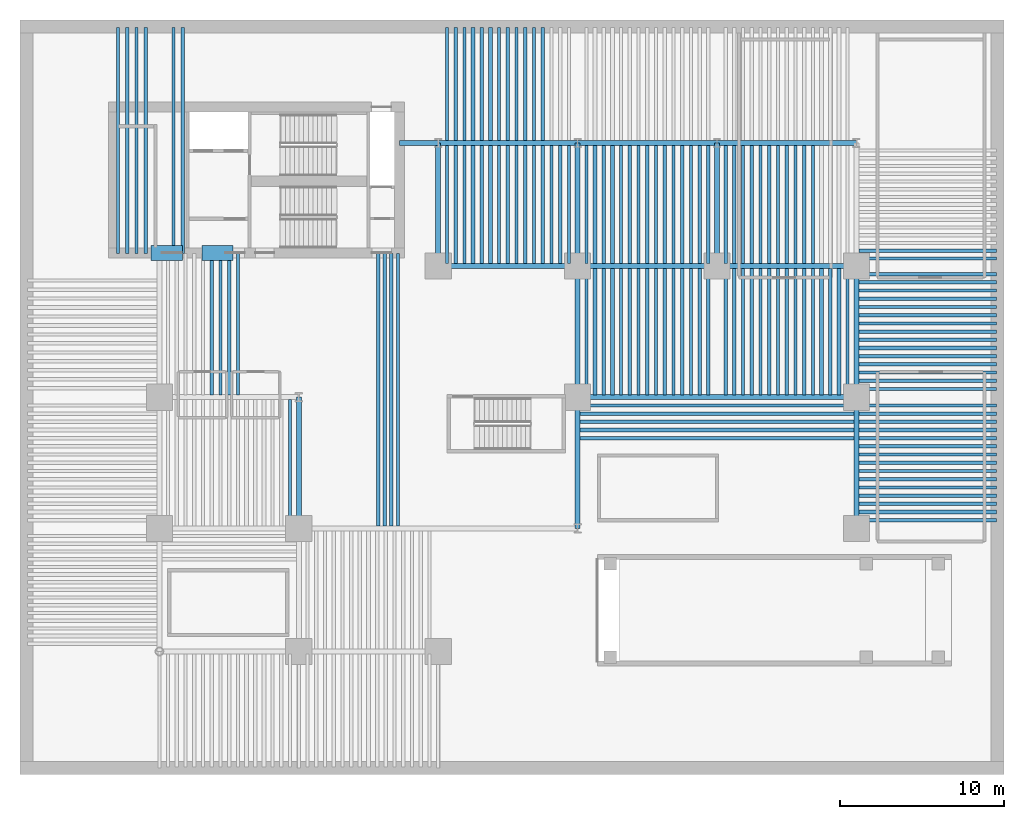
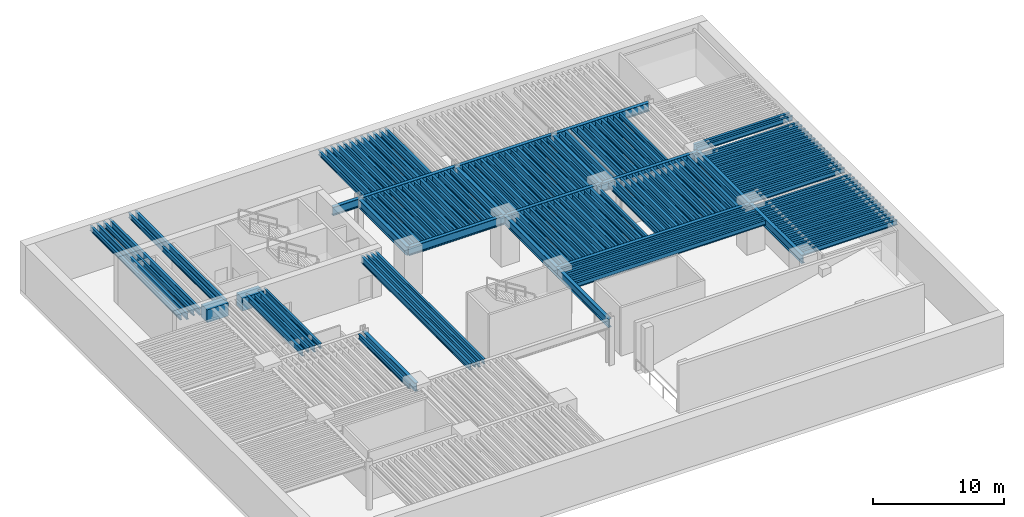
# One storey, part 2 of 9: 153 beams.
"""IFC4 building model written with IfcOpenShell, lengths in metres."""

from ifc_helpers import new_model, si_unit, direction, frame, origin, origin_2d, place, context, subcontext, project, spatial, rectangle, i_section, extrude, material, material_profile, profile_set, type_object, element, save


model = new_model("IFC4")

# Units and contexts
model_context = context("Model", 3, precision=1e-05, world=origin(), true_north=direction((0.0, 1.0)))
body_context = subcontext(model_context, "Body", "Model", "MODEL_VIEW")
ifc_project = project(units=[si_unit("LENGTHUNIT", "METRE"), si_unit("AREAUNIT", "SQUARE_METRE"), si_unit("VOLUMEUNIT", "CUBIC_METRE"), si_unit("PLANEANGLEUNIT", "RADIAN"), si_unit("MASSUNIT", "GRAM", prefix="KILO")], contexts=[model_context])

# Site, building, storey
site_placement = place(None, origin())
site = spatial("IfcSite", under=ifc_project, at=site_placement, CompositionType="ELEMENT")
building_placement = place(site_placement, origin())
building = spatial("IfcBuilding", under=site, at=building_placement, Name="Caeloran Harvest Quay", CompositionType="ELEMENT")
storey_placement = place(building_placement, frame((0.0, 0.0, -9.0)))
storey = spatial("IfcBuildingStorey", under=building, at=storey_placement, Name="B02", CompositionType="ELEMENT", Elevation=-9.0)

# Beams
ifc_material_1 = material(Name="Concrete C80/95", Category="concrete")
ifc_material_profile_1 = material_profile(ifc_material_1, rectangle(XDim=0.89990234375, YDim=1.199951171875, at=origin_2d()), Name="RC 900x1200")
ifc_profile_set_1 = profile_set([ifc_material_profile_1], Name="Concrete C80/95")
beam_type_1 = type_object("IfcBeamType", Name="BM-CB-1-RC_900x1200", PredefinedType="LINTEL", material=ifc_profile_set_1)
for number, where, z_axis, x_axis, name in (
    (1, (8.0, 31.800048828125, 3.550048828125), (1.0, 0.0, 0.0), (0.0, 1.0, 0.0), "B02 Core Coupling Beam 1"),
    (2, (11.10009765625, 31.800048828125, 3.550048828125), (1.0, 0.0, 0.0), (0.0, 1.0, 0.0), "B02 Core Coupling Beam 2"),
):
    element("IfcBeam", number, at=place(storey_placement, frame(where, z_axis=z_axis, x_axis=x_axis)), inside=storey, type_object=beam_type_1, Name=name, PredefinedType="LINTEL", context=body_context, shape_type="SweptSolid", body=[
        extrude(rectangle(XDim=0.89990234375, YDim=1.199951171875, at=origin_2d()), origin(), (0.0, 0.0, 1.0), 1.89990234375),
    ])
ifc_material_2 = material(Name="Steel S355J2", Category="steel")
ifc_material_profile_2 = material_profile(ifc_material_2, i_section(OverallWidth=0.300048828125, OverallDepth=0.800048828125, WebThickness=0.017578125, FlangeThickness=0.032958984375, FilletRadius=0.030029296875, at=origin_2d()), Name="HE 800 B")
ifc_profile_set_2 = profile_set([ifc_material_profile_2], Name="Steel S355J2")
beam_type_2 = type_object("IfcBeamType", Name="BM-PG-1-HE_800_B", PredefinedType="BEAM", material=ifc_profile_set_2)
beam_1_placement = place(storey_placement, frame((34.0, 23.0, 3.75), z_axis=(1.0, 0.0, 0.0), x_axis=(0.0, 1.0, 0.0)))
element("IfcBeam", 3, at=beam_1_placement, inside=storey, type_object=beam_type_2, Name="B02 Primary East-West Girder Y=23.0", PredefinedType="BEAM", context=body_context, shape_type="SweptSolid", body=[
    extrude(i_section(OverallWidth=0.300048828125, OverallDepth=0.800048828125, WebThickness=0.017578125, FlangeThickness=0.032958984375, FilletRadius=0.030029296875, at=origin_2d()), origin(), (0.0, 0.0, 1.0), 17.0),
])
for number, where, z_axis, x_axis, name in (
    (4, (25.5, 31.0, 3.75), (1.0, 0.0, 0.0), (0.0, 1.0, 0.0), "B02 Primary East-West Girder Y=31.0"),
    (5, (34.0, 31.0, 3.75), (1.0, 0.0, 0.0), (0.0, 1.0, 0.0), "B02 Primary East-West Girder Y=31.0"),
    (6, (42.5, 31.0, 3.75), (1.0, 0.0, 0.0), (0.0, 1.0, 0.0), "B02 Primary East-West Girder Y=31.0"),
    (7, (25.5, 38.5, 3.75), (1.0, 0.0, 0.0), (0.0, 1.0, 0.0), "B02 Primary East-West Girder Y=38.5"),
    (8, (34.0, 38.5, 3.75), (1.0, 0.0, 0.0), (0.0, 1.0, 0.0), "B02 Primary East-West Girder Y=38.5"),
    (9, (42.5, 38.5, 3.75), (1.0, 0.0, 0.0), (0.0, 1.0, 0.0), "B02 Primary East-West Girder Y=38.5"),
):
    element("IfcBeam", number, at=place(storey_placement, frame(where, z_axis=z_axis, x_axis=x_axis)), inside=storey, type_object=beam_type_2, Name=name, PredefinedType="BEAM", context=body_context, shape_type="SweptSolid", body=[
        extrude(i_section(OverallWidth=0.300048828125, OverallDepth=0.800048828125, WebThickness=0.017578125, FlangeThickness=0.032958984375, FilletRadius=0.030029296875, at=origin_2d()), origin(), (0.0, 0.0, 1.0), 8.5),
    ])
beam_2_placement = place(storey_placement, frame((23.14990234375, 38.5, 3.75), z_axis=(1.0, 0.0, 0.0), x_axis=(0.0, 1.0, 0.0)))
element("IfcBeam", 10, at=beam_2_placement, inside=storey, type_object=beam_type_2, Name="B02 Core East Tie Girder Y=38.5", PredefinedType="BEAM", context=body_context, shape_type="SweptSolid", body=[
    extrude(i_section(OverallWidth=0.300048828125, OverallDepth=0.800048828125, WebThickness=0.017578125, FlangeThickness=0.032958984375, FilletRadius=0.030029296875, at=origin_2d()), origin(), (0.0, 0.0, 1.0), 2.35009765625),
])
beam_3_placement = place(storey_placement, frame((17.0, 15.0, 3.75), z_axis=(0.0, 1.0, 0.0), x_axis=(-1.0, 0.0, 0.0)))
element("IfcBeam", 11, at=beam_3_placement, inside=storey, type_object=beam_type_2, Name="B02 Primary North-South Girder X=17.0", PredefinedType="BEAM", context=body_context, shape_type="SweptSolid", body=[
    extrude(i_section(OverallWidth=0.300048828125, OverallDepth=0.800048828125, WebThickness=0.017578125, FlangeThickness=0.032958984375, FilletRadius=0.030029296875, at=origin_2d()), origin(), (0.0, 0.0, 1.0), 8.0),
])
beam_4_placement = place(storey_placement, frame((25.5, 31.0, 3.75), z_axis=(0.0, 1.0, 0.0), x_axis=(-1.0, 0.0, 0.0)))
element("IfcBeam", 12, at=beam_4_placement, inside=storey, type_object=beam_type_2, Name="B02 Primary North-South Girder X=25.5", PredefinedType="BEAM", context=body_context, shape_type="SweptSolid", body=[
    extrude(i_section(OverallWidth=0.300048828125, OverallDepth=0.800048828125, WebThickness=0.017578125, FlangeThickness=0.032958984375, FilletRadius=0.030029296875, at=origin_2d()), origin(), (0.0, 0.0, 1.0), 7.5),
])
for number, where, z_axis, x_axis, name in (
    (13, (34.0, 15.0, 3.75), (0.0, 1.0, 0.0), (-1.0, 0.0, 0.0), "B02 Primary North-South Girder X=34.0"),
    (14, (34.0, 23.0, 3.75), (0.0, 1.0, 0.0), (-1.0, 0.0, 0.0), "B02 Primary North-South Girder X=34.0"),
):
    element("IfcBeam", number, at=place(storey_placement, frame(where, z_axis=z_axis, x_axis=x_axis)), inside=storey, type_object=beam_type_2, Name=name, PredefinedType="BEAM", context=body_context, shape_type="SweptSolid", body=[
        extrude(i_section(OverallWidth=0.300048828125, OverallDepth=0.800048828125, WebThickness=0.017578125, FlangeThickness=0.032958984375, FilletRadius=0.030029296875, at=origin_2d()), origin(), (0.0, 0.0, 1.0), 8.0),
    ])
for number, where, z_axis, x_axis, name in (
    (15, (34.0, 31.0, 3.75), (0.0, 1.0, 0.0), (-1.0, 0.0, 0.0), "B02 Primary North-South Girder X=34.0"),
    (16, (42.5, 31.0, 3.75), (0.0, 1.0, 0.0), (-1.0, 0.0, 0.0), "B02 Primary North-South Girder X=42.5"),
):
    element("IfcBeam", number, at=place(storey_placement, frame(where, z_axis=z_axis, x_axis=x_axis)), inside=storey, type_object=beam_type_2, Name=name, PredefinedType="BEAM", context=body_context, shape_type="SweptSolid", body=[
        extrude(i_section(OverallWidth=0.300048828125, OverallDepth=0.800048828125, WebThickness=0.017578125, FlangeThickness=0.032958984375, FilletRadius=0.030029296875, at=origin_2d()), origin(), (0.0, 0.0, 1.0), 7.5),
    ])
for number, where, z_axis, x_axis, name in (
    (17, (51.0, 15.0, 3.75), (0.0, 1.0, 0.0), (-1.0, 0.0, 0.0), "B02 Primary North-South Girder X=51.0"),
    (18, (51.0, 23.0, 3.75), (0.0, 1.0, 0.0), (-1.0, 0.0, 0.0), "B02 Primary North-South Girder X=51.0"),
):
    element("IfcBeam", number, at=place(storey_placement, frame(where, z_axis=z_axis, x_axis=x_axis)), inside=storey, type_object=beam_type_2, Name=name, PredefinedType="BEAM", context=body_context, shape_type="SweptSolid", body=[
        extrude(i_section(OverallWidth=0.300048828125, OverallDepth=0.800048828125, WebThickness=0.017578125, FlangeThickness=0.032958984375, FilletRadius=0.030029296875, at=origin_2d()), origin(), (0.0, 0.0, 1.0), 8.0),
    ])
ifc_material_profile_3 = material_profile(ifc_material_2, i_section(OverallWidth=0.219970703125, OverallDepth=0.60009765625, WebThickness=0.011962890625, FlangeThickness=0.01904296875, FilletRadius=0.02392578125, at=origin_2d()), Name="IPE 600")
ifc_profile_set_3 = profile_set([ifc_material_profile_3], Name="Steel S355J2")
beam_type_3 = type_object("IfcBeamType", Name="BM-SB-1-IPE_600", PredefinedType="JOIST", material=ifc_profile_set_3)
for number, where, z_axis, x_axis, name in (
    (19, (26.5625, 38.64501953125, 3.85009765625), (0.0, 1.0, 0.0), (-1.0, 0.0, 0.0), "B02 Secondary Composite Joist"),
    (20, (27.625, 38.64501953125, 3.85009765625), (0.0, 1.0, 0.0), (-1.0, 0.0, 0.0), "B02 Secondary Composite Joist"),
    (21, (28.6875, 38.64501953125, 3.85009765625), (0.0, 1.0, 0.0), (-1.0, 0.0, 0.0), "B02 Secondary Composite Joist"),
    (22, (29.75, 38.64501953125, 3.85009765625), (0.0, 1.0, 0.0), (-1.0, 0.0, 0.0), "B02 Secondary Composite Joist"),
    (23, (30.8125, 38.64501953125, 3.85009765625), (0.0, 1.0, 0.0), (-1.0, 0.0, 0.0), "B02 Secondary Composite Joist"),
    (24, (31.875, 38.64501953125, 3.85009765625), (0.0, 1.0, 0.0), (-1.0, 0.0, 0.0), "B02 Secondary Composite Joist"),
):
    element("IfcBeam", number, at=place(storey_placement, frame(where, z_axis=z_axis, x_axis=x_axis)), inside=storey, type_object=beam_type_3, Name=name, PredefinedType="JOIST", context=body_context, shape_type="SweptSolid", body=[
        extrude(i_section(OverallWidth=0.219970703125, OverallDepth=0.60009765625, WebThickness=0.011962890625, FlangeThickness=0.01904296875, FilletRadius=0.02392578125, at=origin_2d()), origin(), (0.0, 0.0, 1.0), 6.905029296875),
    ])
for number, where, z_axis, x_axis, name in (
    (25, (26.5625, 31.14501953125, 3.85009765625), (0.0, 1.0, 0.0), (-1.0, 0.0, 0.0), "B02 Secondary Composite Joist"),
    (26, (27.625, 31.14501953125, 3.85009765625), (0.0, 1.0, 0.0), (-1.0, 0.0, 0.0), "B02 Secondary Composite Joist"),
    (27, (28.6875, 31.14501953125, 3.85009765625), (0.0, 1.0, 0.0), (-1.0, 0.0, 0.0), "B02 Secondary Composite Joist"),
    (28, (29.75, 31.14501953125, 3.85009765625), (0.0, 1.0, 0.0), (-1.0, 0.0, 0.0), "B02 Secondary Composite Joist"),
    (29, (30.8125, 31.14501953125, 3.85009765625), (0.0, 1.0, 0.0), (-1.0, 0.0, 0.0), "B02 Secondary Composite Joist"),
    (30, (31.875, 31.14501953125, 3.85009765625), (0.0, 1.0, 0.0), (-1.0, 0.0, 0.0), "B02 Secondary Composite Joist"),
    (31, (32.9375, 31.14501953125, 3.85009765625), (0.0, 1.0, 0.0), (-1.0, 0.0, 0.0), "B02 Secondary Composite Joist"),
    (32, (35.0625, 31.14501953125, 3.85009765625), (0.0, 1.0, 0.0), (-1.0, 0.0, 0.0), "B02 Secondary Composite Joist"),
    (33, (36.125, 31.14501953125, 3.85009765625), (0.0, 1.0, 0.0), (-1.0, 0.0, 0.0), "B02 Secondary Composite Joist"),
    (34, (37.1875, 31.14501953125, 3.85009765625), (0.0, 1.0, 0.0), (-1.0, 0.0, 0.0), "B02 Secondary Composite Joist"),
    (35, (38.25, 31.14501953125, 3.85009765625), (0.0, 1.0, 0.0), (-1.0, 0.0, 0.0), "B02 Secondary Composite Joist"),
    (36, (39.3125, 31.14501953125, 3.85009765625), (0.0, 1.0, 0.0), (-1.0, 0.0, 0.0), "B02 Secondary Composite Joist"),
    (37, (40.375, 31.14501953125, 3.85009765625), (0.0, 1.0, 0.0), (-1.0, 0.0, 0.0), "B02 Secondary Composite Joist"),
    (38, (41.4375, 31.14501953125, 3.85009765625), (0.0, 1.0, 0.0), (-1.0, 0.0, 0.0), "B02 Secondary Composite Joist"),
    (39, (43.5625, 31.14501953125, 3.85009765625), (0.0, 1.0, 0.0), (-1.0, 0.0, 0.0), "B02 Secondary Composite Joist"),
    (40, (44.625, 31.14501953125, 3.85009765625), (0.0, 1.0, 0.0), (-1.0, 0.0, 0.0), "B02 Secondary Composite Joist"),
    (41, (45.6875, 31.14501953125, 3.85009765625), (0.0, 1.0, 0.0), (-1.0, 0.0, 0.0), "B02 Secondary Composite Joist"),
    (42, (46.75, 31.14501953125, 3.85009765625), (0.0, 1.0, 0.0), (-1.0, 0.0, 0.0), "B02 Secondary Composite Joist"),
    (43, (47.8125, 31.14501953125, 3.85009765625), (0.0, 1.0, 0.0), (-1.0, 0.0, 0.0), "B02 Secondary Composite Joist"),
):
    element("IfcBeam", number, at=place(storey_placement, frame(where, z_axis=z_axis, x_axis=x_axis)), inside=storey, type_object=beam_type_3, Name=name, PredefinedType="JOIST", context=body_context, shape_type="SweptSolid", body=[
        extrude(i_section(OverallWidth=0.219970703125, OverallDepth=0.60009765625, WebThickness=0.011962890625, FlangeThickness=0.01904296875, FilletRadius=0.02392578125, at=origin_2d()), origin(), (0.0, 0.0, 1.0), 7.2099609375),
    ])
for number, where, z_axis, x_axis, name in (
    (44, (35.0625, 23.14501953125, 3.85009765625), (0.0, 1.0, 0.0), (-1.0, 0.0, 0.0), "B02 Secondary Composite Joist"),
    (45, (36.125, 23.14501953125, 3.85009765625), (0.0, 1.0, 0.0), (-1.0, 0.0, 0.0), "B02 Secondary Composite Joist"),
    (46, (37.1875, 23.14501953125, 3.85009765625), (0.0, 1.0, 0.0), (-1.0, 0.0, 0.0), "B02 Secondary Composite Joist"),
    (47, (38.25, 23.14501953125, 3.85009765625), (0.0, 1.0, 0.0), (-1.0, 0.0, 0.0), "B02 Secondary Composite Joist"),
    (48, (39.3125, 23.14501953125, 3.85009765625), (0.0, 1.0, 0.0), (-1.0, 0.0, 0.0), "B02 Secondary Composite Joist"),
    (49, (40.375, 23.14501953125, 3.85009765625), (0.0, 1.0, 0.0), (-1.0, 0.0, 0.0), "B02 Secondary Composite Joist"),
    (50, (41.4375, 23.14501953125, 3.85009765625), (0.0, 1.0, 0.0), (-1.0, 0.0, 0.0), "B02 Secondary Composite Joist"),
    (51, (43.5625, 23.14501953125, 3.85009765625), (0.0, 1.0, 0.0), (-1.0, 0.0, 0.0), "B02 Secondary Composite Joist"),
    (52, (44.625, 23.14501953125, 3.85009765625), (0.0, 1.0, 0.0), (-1.0, 0.0, 0.0), "B02 Secondary Composite Joist"),
    (53, (45.6875, 23.14501953125, 3.85009765625), (0.0, 1.0, 0.0), (-1.0, 0.0, 0.0), "B02 Secondary Composite Joist"),
    (54, (46.75, 23.14501953125, 3.85009765625), (0.0, 1.0, 0.0), (-1.0, 0.0, 0.0), "B02 Secondary Composite Joist"),
    (55, (47.8125, 23.14501953125, 3.85009765625), (0.0, 1.0, 0.0), (-1.0, 0.0, 0.0), "B02 Secondary Composite Joist"),
    (56, (48.875, 23.14501953125, 3.85009765625), (0.0, 1.0, 0.0), (-1.0, 0.0, 0.0), "B02 Secondary Composite Joist"),
    (57, (49.9375, 23.14501953125, 3.85009765625), (0.0, 1.0, 0.0), (-1.0, 0.0, 0.0), "B02 Secondary Composite Joist"),
):
    element("IfcBeam", number, at=place(storey_placement, frame(where, z_axis=z_axis, x_axis=x_axis)), inside=storey, type_object=beam_type_3, Name=name, PredefinedType="JOIST", context=body_context, shape_type="SweptSolid", body=[
        extrude(i_section(OverallWidth=0.219970703125, OverallDepth=0.60009765625, WebThickness=0.011962890625, FlangeThickness=0.01904296875, FilletRadius=0.02392578125, at=origin_2d()), origin(), (0.0, 0.0, 1.0), 7.7099609375),
    ])
for number, where, z_axis, x_axis, name in (
    (58, (11.6875, 23.14501953125, 3.85009765625), (0.0, 1.0, 0.0), (-1.0, 0.0, 0.0), "B02 Secondary Composite Joist"),
    (59, (12.75, 23.14501953125, 3.85009765625), (0.0, 1.0, 0.0), (-1.0, 0.0, 0.0), "B02 Secondary Composite Joist"),
):
    element("IfcBeam", number, at=place(storey_placement, frame(where, z_axis=z_axis, x_axis=x_axis)), inside=storey, type_object=beam_type_3, Name=name, PredefinedType="JOIST", context=body_context, shape_type="SweptSolid", body=[
        extrude(i_section(OverallWidth=0.219970703125, OverallDepth=0.60009765625, WebThickness=0.011962890625, FlangeThickness=0.01904296875, FilletRadius=0.02392578125, at=origin_2d()), origin(), (0.0, 0.0, 1.0), 8.60498046875),
    ])
for number, where, z_axis, x_axis, name in (
    (60, (6.528076171875, 31.75, 3.85009765625), (0.0, 1.0, 0.0), (-1.0, 0.0, 0.0), "B02 Secondary Composite Joist"),
    (61, (7.65625, 31.75, 3.85009765625), (0.0, 1.0, 0.0), (-1.0, 0.0, 0.0), "B02 Secondary Composite Joist"),
    (62, (9.91259765625, 31.75, 3.85009765625), (0.0, 1.0, 0.0), (-1.0, 0.0, 0.0), "B02 Secondary Composite Joist"),
):
    element("IfcBeam", number, at=place(storey_placement, frame(where, z_axis=z_axis, x_axis=x_axis)), inside=storey, type_object=beam_type_3, Name=name, PredefinedType="JOIST", context=body_context, shape_type="SweptSolid", body=[
        extrude(i_section(OverallWidth=0.219970703125, OverallDepth=0.60009765625, WebThickness=0.011962890625, FlangeThickness=0.01904296875, FilletRadius=0.02392578125, at=origin_2d()), origin(), (0.0, 0.0, 1.0), 13.800048828125),
    ])
for number, where, z_axis, x_axis, name in (
    (63, (21.83740234375, 15.14501953125, 3.85009765625), (0.0, 1.0, 0.0), (-1.0, 0.0, 0.0), "B02 Secondary Composite Joist"),
    (64, (22.643798828125, 15.14501953125, 3.85009765625), (0.0, 1.0, 0.0), (-1.0, 0.0, 0.0), "B02 Secondary Composite Joist"),
):
    element("IfcBeam", number, at=place(storey_placement, frame(where, z_axis=z_axis, x_axis=x_axis)), inside=storey, type_object=beam_type_3, Name=name, PredefinedType="JOIST", context=body_context, shape_type="SweptSolid", body=[
        extrude(i_section(OverallWidth=0.219970703125, OverallDepth=0.60009765625, WebThickness=0.011962890625, FlangeThickness=0.01904296875, FilletRadius=0.02392578125, at=origin_2d()), origin(), (0.0, 0.0, 1.0), 16.60498046875),
    ])
for number, where, z_axis, x_axis, name in (
    (65, (51.14501953125, 16.0, 3.85009765625), (1.0, 0.0, 0.0), (0.0, 1.0, 0.0), "B02 Secondary East-West Composite Joist"),
    (66, (51.14501953125, 17.0, 3.85009765625), (1.0, 0.0, 0.0), (0.0, 1.0, 0.0), "B02 Secondary East-West Composite Joist"),
    (67, (51.14501953125, 18.0, 3.85009765625), (1.0, 0.0, 0.0), (0.0, 1.0, 0.0), "B02 Secondary East-West Composite Joist"),
    (68, (51.14501953125, 19.0, 3.85009765625), (1.0, 0.0, 0.0), (0.0, 1.0, 0.0), "B02 Secondary East-West Composite Joist"),
    (69, (51.14501953125, 20.0, 3.85009765625), (1.0, 0.0, 0.0), (0.0, 1.0, 0.0), "B02 Secondary East-West Composite Joist"),
    (70, (51.14501953125, 21.0, 3.85009765625), (1.0, 0.0, 0.0), (0.0, 1.0, 0.0), "B02 Secondary East-West Composite Joist"),
    (71, (51.14501953125, 22.0, 3.85009765625), (1.0, 0.0, 0.0), (0.0, 1.0, 0.0), "B02 Secondary East-West Composite Joist"),
    (72, (51.14501953125, 24.0, 3.85009765625), (1.0, 0.0, 0.0), (0.0, 1.0, 0.0), "B02 Secondary East-West Composite Joist"),
    (73, (51.14501953125, 25.0, 3.85009765625), (1.0, 0.0, 0.0), (0.0, 1.0, 0.0), "B02 Secondary East-West Composite Joist"),
    (74, (51.14501953125, 26.0, 3.85009765625), (1.0, 0.0, 0.0), (0.0, 1.0, 0.0), "B02 Secondary East-West Composite Joist"),
    (75, (51.14501953125, 27.0, 3.85009765625), (1.0, 0.0, 0.0), (0.0, 1.0, 0.0), "B02 Secondary East-West Composite Joist"),
    (76, (51.14501953125, 28.0, 3.85009765625), (1.0, 0.0, 0.0), (0.0, 1.0, 0.0), "B02 Secondary East-West Composite Joist"),
    (77, (51.14501953125, 29.0, 3.85009765625), (1.0, 0.0, 0.0), (0.0, 1.0, 0.0), "B02 Secondary East-West Composite Joist"),
    (78, (51.14501953125, 30.0, 3.85009765625), (1.0, 0.0, 0.0), (0.0, 1.0, 0.0), "B02 Secondary East-West Composite Joist"),
    (79, (51.14501953125, 31.9375, 3.85009765625), (1.0, 0.0, 0.0), (0.0, 1.0, 0.0), "B02 Secondary East-West Composite Joist"),
):
    element("IfcBeam", number, at=place(storey_placement, frame(where, z_axis=z_axis, x_axis=x_axis)), inside=storey, type_object=beam_type_3, Name=name, PredefinedType="JOIST", context=body_context, shape_type="SweptSolid", body=[
        extrude(i_section(OverallWidth=0.219970703125, OverallDepth=0.60009765625, WebThickness=0.011962890625, FlangeThickness=0.01904296875, FilletRadius=0.02392578125, at=origin_2d()), origin(), (0.0, 0.0, 1.0), 8.405029296875),
    ])
for number, where, z_axis, x_axis, name in (
    (80, (34.14501953125, 21.0, 3.85009765625), (1.0, 0.0, 0.0), (0.0, 1.0, 0.0), "B02 Secondary East-West Composite Joist"),
    (81, (34.14501953125, 22.0, 3.85009765625), (1.0, 0.0, 0.0), (0.0, 1.0, 0.0), "B02 Secondary East-West Composite Joist"),
):
    element("IfcBeam", number, at=place(storey_placement, frame(where, z_axis=z_axis, x_axis=x_axis)), inside=storey, type_object=beam_type_3, Name=name, PredefinedType="JOIST", context=body_context, shape_type="SweptSolid", body=[
        extrude(i_section(OverallWidth=0.219970703125, OverallDepth=0.60009765625, WebThickness=0.011962890625, FlangeThickness=0.01904296875, FilletRadius=0.02392578125, at=origin_2d()), origin(), (0.0, 0.0, 1.0), 16.7099609375),
    ])
ifc_material_profile_4 = material_profile(ifc_material_2, i_section(OverallWidth=0.18994140625, OverallDepth=0.449951171875, WebThickness=0.009521484375, FlangeThickness=0.0146484375, FilletRadius=0.02099609375, at=origin_2d()), Name="IPE 450")
ifc_profile_set_4 = profile_set([ifc_material_profile_4], Name="Steel S355J2")
beam_type_4 = type_object("IfcBeamType", Name="BM-SB-3-IPE_450", PredefinedType="JOIST", material=ifc_profile_set_4)
for number, where, z_axis, x_axis, name in (
    (82, (26.03125, 38.64501953125, 3.925048828125), (0.0, 1.0, 0.0), (-1.0, 0.0, 0.0), "B02 Secondary Composite Joist"),
    (83, (27.09375, 38.64501953125, 3.925048828125), (0.0, 1.0, 0.0), (-1.0, 0.0, 0.0), "B02 Secondary Composite Joist"),
    (84, (28.15625, 38.64501953125, 3.925048828125), (0.0, 1.0, 0.0), (-1.0, 0.0, 0.0), "B02 Secondary Composite Joist"),
    (85, (29.21875, 38.64501953125, 3.925048828125), (0.0, 1.0, 0.0), (-1.0, 0.0, 0.0), "B02 Secondary Composite Joist"),
    (86, (30.28125, 38.64501953125, 3.925048828125), (0.0, 1.0, 0.0), (-1.0, 0.0, 0.0), "B02 Secondary Composite Joist"),
    (87, (31.34375, 38.64501953125, 3.925048828125), (0.0, 1.0, 0.0), (-1.0, 0.0, 0.0), "B02 Secondary Composite Joist"),
):
    element("IfcBeam", number, at=place(storey_placement, frame(where, z_axis=z_axis, x_axis=x_axis)), inside=storey, type_object=beam_type_4, Name=name, PredefinedType="JOIST", context=body_context, shape_type="SweptSolid", body=[
        extrude(i_section(OverallWidth=0.18994140625, OverallDepth=0.449951171875, WebThickness=0.009521484375, FlangeThickness=0.0146484375, FilletRadius=0.02099609375, at=origin_2d()), origin(), (0.0, 0.0, 1.0), 6.905029296875),
    ])
for number, where, z_axis, x_axis, name in (
    (88, (26.03125, 31.14501953125, 3.925048828125), (0.0, 1.0, 0.0), (-1.0, 0.0, 0.0), "B02 Secondary Composite Joist"),
    (89, (27.09375, 31.14501953125, 3.925048828125), (0.0, 1.0, 0.0), (-1.0, 0.0, 0.0), "B02 Secondary Composite Joist"),
    (90, (28.15625, 31.14501953125, 3.925048828125), (0.0, 1.0, 0.0), (-1.0, 0.0, 0.0), "B02 Secondary Composite Joist"),
    (91, (29.21875, 31.14501953125, 3.925048828125), (0.0, 1.0, 0.0), (-1.0, 0.0, 0.0), "B02 Secondary Composite Joist"),
    (92, (30.28125, 31.14501953125, 3.925048828125), (0.0, 1.0, 0.0), (-1.0, 0.0, 0.0), "B02 Secondary Composite Joist"),
    (93, (31.34375, 31.14501953125, 3.925048828125), (0.0, 1.0, 0.0), (-1.0, 0.0, 0.0), "B02 Secondary Composite Joist"),
    (94, (32.40625, 31.14501953125, 3.925048828125), (0.0, 1.0, 0.0), (-1.0, 0.0, 0.0), "B02 Secondary Composite Joist"),
    (95, (33.46875, 31.14501953125, 3.925048828125), (0.0, 1.0, 0.0), (-1.0, 0.0, 0.0), "B02 Secondary Composite Joist"),
    (96, (34.53125, 31.14501953125, 3.925048828125), (0.0, 1.0, 0.0), (-1.0, 0.0, 0.0), "B02 Secondary Composite Joist"),
    (97, (35.59375, 31.14501953125, 3.925048828125), (0.0, 1.0, 0.0), (-1.0, 0.0, 0.0), "B02 Secondary Composite Joist"),
    (98, (36.65625, 31.14501953125, 3.925048828125), (0.0, 1.0, 0.0), (-1.0, 0.0, 0.0), "B02 Secondary Composite Joist"),
    (99, (37.71875, 31.14501953125, 3.925048828125), (0.0, 1.0, 0.0), (-1.0, 0.0, 0.0), "B02 Secondary Composite Joist"),
    (100, (38.78125, 31.14501953125, 3.925048828125), (0.0, 1.0, 0.0), (-1.0, 0.0, 0.0), "B02 Secondary Composite Joist"),
    (101, (39.84375, 31.14501953125, 3.925048828125), (0.0, 1.0, 0.0), (-1.0, 0.0, 0.0), "B02 Secondary Composite Joist"),
    (102, (40.90625, 31.14501953125, 3.925048828125), (0.0, 1.0, 0.0), (-1.0, 0.0, 0.0), "B02 Secondary Composite Joist"),
    (103, (41.96875, 31.14501953125, 3.925048828125), (0.0, 1.0, 0.0), (-1.0, 0.0, 0.0), "B02 Secondary Composite Joist"),
    (104, (43.03125, 31.14501953125, 3.925048828125), (0.0, 1.0, 0.0), (-1.0, 0.0, 0.0), "B02 Secondary Composite Joist"),
    (105, (44.09375, 31.14501953125, 3.925048828125), (0.0, 1.0, 0.0), (-1.0, 0.0, 0.0), "B02 Secondary Composite Joist"),
    (106, (45.15625, 31.14501953125, 3.925048828125), (0.0, 1.0, 0.0), (-1.0, 0.0, 0.0), "B02 Secondary Composite Joist"),
    (107, (46.21875, 31.14501953125, 3.925048828125), (0.0, 1.0, 0.0), (-1.0, 0.0, 0.0), "B02 Secondary Composite Joist"),
    (108, (47.28125, 31.14501953125, 3.925048828125), (0.0, 1.0, 0.0), (-1.0, 0.0, 0.0), "B02 Secondary Composite Joist"),
    (109, (48.34375, 31.14501953125, 3.925048828125), (0.0, 1.0, 0.0), (-1.0, 0.0, 0.0), "B02 Secondary Composite Joist"),
):
    element("IfcBeam", number, at=place(storey_placement, frame(where, z_axis=z_axis, x_axis=x_axis)), inside=storey, type_object=beam_type_4, Name=name, PredefinedType="JOIST", context=body_context, shape_type="SweptSolid", body=[
        extrude(i_section(OverallWidth=0.18994140625, OverallDepth=0.449951171875, WebThickness=0.009521484375, FlangeThickness=0.0146484375, FilletRadius=0.02099609375, at=origin_2d()), origin(), (0.0, 0.0, 1.0), 7.2099609375),
    ])
for number, where, z_axis, x_axis, name in (
    (110, (16.46875, 15.14501953125, 3.925048828125), (0.0, 1.0, 0.0), (-1.0, 0.0, 0.0), "B02 Secondary Composite Joist"),
    (111, (34.53125, 23.14501953125, 3.925048828125), (0.0, 1.0, 0.0), (-1.0, 0.0, 0.0), "B02 Secondary Composite Joist"),
    (112, (35.59375, 23.14501953125, 3.925048828125), (0.0, 1.0, 0.0), (-1.0, 0.0, 0.0), "B02 Secondary Composite Joist"),
    (113, (36.65625, 23.14501953125, 3.925048828125), (0.0, 1.0, 0.0), (-1.0, 0.0, 0.0), "B02 Secondary Composite Joist"),
    (114, (37.71875, 23.14501953125, 3.925048828125), (0.0, 1.0, 0.0), (-1.0, 0.0, 0.0), "B02 Secondary Composite Joist"),
    (115, (38.78125, 23.14501953125, 3.925048828125), (0.0, 1.0, 0.0), (-1.0, 0.0, 0.0), "B02 Secondary Composite Joist"),
    (116, (39.84375, 23.14501953125, 3.925048828125), (0.0, 1.0, 0.0), (-1.0, 0.0, 0.0), "B02 Secondary Composite Joist"),
    (117, (40.90625, 23.14501953125, 3.925048828125), (0.0, 1.0, 0.0), (-1.0, 0.0, 0.0), "B02 Secondary Composite Joist"),
    (118, (41.96875, 23.14501953125, 3.925048828125), (0.0, 1.0, 0.0), (-1.0, 0.0, 0.0), "B02 Secondary Composite Joist"),
    (119, (43.03125, 23.14501953125, 3.925048828125), (0.0, 1.0, 0.0), (-1.0, 0.0, 0.0), "B02 Secondary Composite Joist"),
    (120, (44.09375, 23.14501953125, 3.925048828125), (0.0, 1.0, 0.0), (-1.0, 0.0, 0.0), "B02 Secondary Composite Joist"),
    (121, (45.15625, 23.14501953125, 3.925048828125), (0.0, 1.0, 0.0), (-1.0, 0.0, 0.0), "B02 Secondary Composite Joist"),
    (122, (46.21875, 23.14501953125, 3.925048828125), (0.0, 1.0, 0.0), (-1.0, 0.0, 0.0), "B02 Secondary Composite Joist"),
    (123, (47.28125, 23.14501953125, 3.925048828125), (0.0, 1.0, 0.0), (-1.0, 0.0, 0.0), "B02 Secondary Composite Joist"),
    (124, (48.34375, 23.14501953125, 3.925048828125), (0.0, 1.0, 0.0), (-1.0, 0.0, 0.0), "B02 Secondary Composite Joist"),
    (125, (49.40625, 23.14501953125, 3.925048828125), (0.0, 1.0, 0.0), (-1.0, 0.0, 0.0), "B02 Secondary Composite Joist"),
    (126, (50.46875, 23.14501953125, 3.925048828125), (0.0, 1.0, 0.0), (-1.0, 0.0, 0.0), "B02 Secondary Composite Joist"),
):
    element("IfcBeam", number, at=place(storey_placement, frame(where, z_axis=z_axis, x_axis=x_axis)), inside=storey, type_object=beam_type_4, Name=name, PredefinedType="JOIST", context=body_context, shape_type="SweptSolid", body=[
        extrude(i_section(OverallWidth=0.18994140625, OverallDepth=0.449951171875, WebThickness=0.009521484375, FlangeThickness=0.0146484375, FilletRadius=0.02099609375, at=origin_2d()), origin(), (0.0, 0.0, 1.0), 7.7099609375),
    ])
for number, where, z_axis, x_axis, name in (
    (127, (12.21875, 23.14501953125, 3.925048828125), (0.0, 1.0, 0.0), (-1.0, 0.0, 0.0), "B02 Secondary Composite Joist"),
    (128, (13.28125, 23.14501953125, 3.925048828125), (0.0, 1.0, 0.0), (-1.0, 0.0, 0.0), "B02 Secondary Composite Joist"),
):
    element("IfcBeam", number, at=place(storey_placement, frame(where, z_axis=z_axis, x_axis=x_axis)), inside=storey, type_object=beam_type_4, Name=name, PredefinedType="JOIST", context=body_context, shape_type="SweptSolid", body=[
        extrude(i_section(OverallWidth=0.18994140625, OverallDepth=0.449951171875, WebThickness=0.009521484375, FlangeThickness=0.0146484375, FilletRadius=0.02099609375, at=origin_2d()), origin(), (0.0, 0.0, 1.0), 8.60498046875),
    ])
for number, where, z_axis, x_axis, name in (
    (129, (5.964111328125, 31.75, 3.925048828125), (0.0, 1.0, 0.0), (-1.0, 0.0, 0.0), "B02 Secondary Composite Joist"),
    (130, (7.09228515625, 31.75, 3.925048828125), (0.0, 1.0, 0.0), (-1.0, 0.0, 0.0), "B02 Secondary Composite Joist"),
    (131, (9.348388671875, 31.75, 3.925048828125), (0.0, 1.0, 0.0), (-1.0, 0.0, 0.0), "B02 Secondary Composite Joist"),
):
    element("IfcBeam", number, at=place(storey_placement, frame(where, z_axis=z_axis, x_axis=x_axis)), inside=storey, type_object=beam_type_4, Name=name, PredefinedType="JOIST", context=body_context, shape_type="SweptSolid", body=[
        extrude(i_section(OverallWidth=0.18994140625, OverallDepth=0.449951171875, WebThickness=0.009521484375, FlangeThickness=0.0146484375, FilletRadius=0.02099609375, at=origin_2d()), origin(), (0.0, 0.0, 1.0), 13.800048828125),
    ])
for number, where, z_axis, x_axis, name in (
    (132, (22.240478515625, 15.14501953125, 3.925048828125), (0.0, 1.0, 0.0), (-1.0, 0.0, 0.0), "B02 Secondary Composite Joist"),
    (133, (23.046875, 15.14501953125, 3.925048828125), (0.0, 1.0, 0.0), (-1.0, 0.0, 0.0), "B02 Secondary Composite Joist"),
):
    element("IfcBeam", number, at=place(storey_placement, frame(where, z_axis=z_axis, x_axis=x_axis)), inside=storey, type_object=beam_type_4, Name=name, PredefinedType="JOIST", context=body_context, shape_type="SweptSolid", body=[
        extrude(i_section(OverallWidth=0.18994140625, OverallDepth=0.449951171875, WebThickness=0.009521484375, FlangeThickness=0.0146484375, FilletRadius=0.02099609375, at=origin_2d()), origin(), (0.0, 0.0, 1.0), 16.60498046875),
    ])
for number, where, z_axis, x_axis, name in (
    (134, (51.14501953125, 15.5, 3.925048828125), (1.0, 0.0, 0.0), (0.0, 1.0, 0.0), "B02 Secondary East-West Composite Joist"),
    (135, (51.14501953125, 16.5, 3.925048828125), (1.0, 0.0, 0.0), (0.0, 1.0, 0.0), "B02 Secondary East-West Composite Joist"),
    (136, (51.14501953125, 17.5, 3.925048828125), (1.0, 0.0, 0.0), (0.0, 1.0, 0.0), "B02 Secondary East-West Composite Joist"),
    (137, (51.14501953125, 18.5, 3.925048828125), (1.0, 0.0, 0.0), (0.0, 1.0, 0.0), "B02 Secondary East-West Composite Joist"),
    (138, (51.14501953125, 19.5, 3.925048828125), (1.0, 0.0, 0.0), (0.0, 1.0, 0.0), "B02 Secondary East-West Composite Joist"),
    (139, (51.14501953125, 20.5, 3.925048828125), (1.0, 0.0, 0.0), (0.0, 1.0, 0.0), "B02 Secondary East-West Composite Joist"),
    (140, (51.14501953125, 21.5, 3.925048828125), (1.0, 0.0, 0.0), (0.0, 1.0, 0.0), "B02 Secondary East-West Composite Joist"),
    (141, (51.14501953125, 22.5, 3.925048828125), (1.0, 0.0, 0.0), (0.0, 1.0, 0.0), "B02 Secondary East-West Composite Joist"),
    (142, (51.14501953125, 23.5, 3.925048828125), (1.0, 0.0, 0.0), (0.0, 1.0, 0.0), "B02 Secondary East-West Composite Joist"),
    (143, (51.14501953125, 24.5, 3.925048828125), (1.0, 0.0, 0.0), (0.0, 1.0, 0.0), "B02 Secondary East-West Composite Joist"),
    (144, (51.14501953125, 25.5, 3.925048828125), (1.0, 0.0, 0.0), (0.0, 1.0, 0.0), "B02 Secondary East-West Composite Joist"),
    (145, (51.14501953125, 26.5, 3.925048828125), (1.0, 0.0, 0.0), (0.0, 1.0, 0.0), "B02 Secondary East-West Composite Joist"),
    (146, (51.14501953125, 27.5, 3.925048828125), (1.0, 0.0, 0.0), (0.0, 1.0, 0.0), "B02 Secondary East-West Composite Joist"),
    (147, (51.14501953125, 28.5, 3.925048828125), (1.0, 0.0, 0.0), (0.0, 1.0, 0.0), "B02 Secondary East-West Composite Joist"),
    (148, (51.14501953125, 29.5, 3.925048828125), (1.0, 0.0, 0.0), (0.0, 1.0, 0.0), "B02 Secondary East-West Composite Joist"),
    (149, (51.14501953125, 30.5, 3.925048828125), (1.0, 0.0, 0.0), (0.0, 1.0, 0.0), "B02 Secondary East-West Composite Joist"),
    (150, (51.14501953125, 31.46875, 3.925048828125), (1.0, 0.0, 0.0), (0.0, 1.0, 0.0), "B02 Secondary East-West Composite Joist"),
):
    element("IfcBeam", number, at=place(storey_placement, frame(where, z_axis=z_axis, x_axis=x_axis)), inside=storey, type_object=beam_type_4, Name=name, PredefinedType="JOIST", context=body_context, shape_type="SweptSolid", body=[
        extrude(i_section(OverallWidth=0.18994140625, OverallDepth=0.449951171875, WebThickness=0.009521484375, FlangeThickness=0.0146484375, FilletRadius=0.02099609375, at=origin_2d()), origin(), (0.0, 0.0, 1.0), 8.405029296875),
    ])
for number, where, z_axis, x_axis, name in (
    (151, (34.14501953125, 20.5, 3.925048828125), (1.0, 0.0, 0.0), (0.0, 1.0, 0.0), "B02 Secondary East-West Composite Joist"),
    (152, (34.14501953125, 21.5, 3.925048828125), (1.0, 0.0, 0.0), (0.0, 1.0, 0.0), "B02 Secondary East-West Composite Joist"),
    (153, (34.14501953125, 22.5, 3.925048828125), (1.0, 0.0, 0.0), (0.0, 1.0, 0.0), "B02 Secondary East-West Composite Joist"),
):
    element("IfcBeam", number, at=place(storey_placement, frame(where, z_axis=z_axis, x_axis=x_axis)), inside=storey, type_object=beam_type_4, Name=name, PredefinedType="JOIST", context=body_context, shape_type="SweptSolid", body=[
        extrude(i_section(OverallWidth=0.18994140625, OverallDepth=0.449951171875, WebThickness=0.009521484375, FlangeThickness=0.0146484375, FilletRadius=0.02099609375, at=origin_2d()), origin(), (0.0, 0.0, 1.0), 16.7099609375),
    ])

save(model, "model.ifc")
